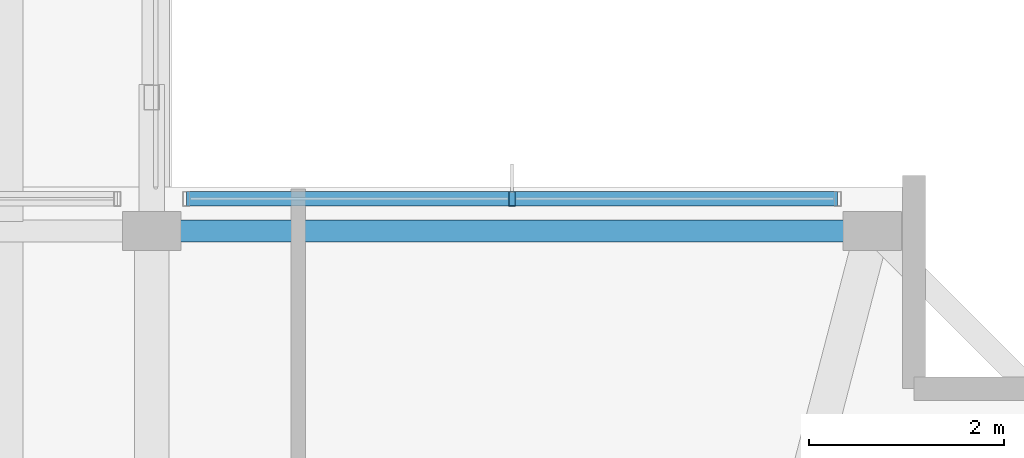
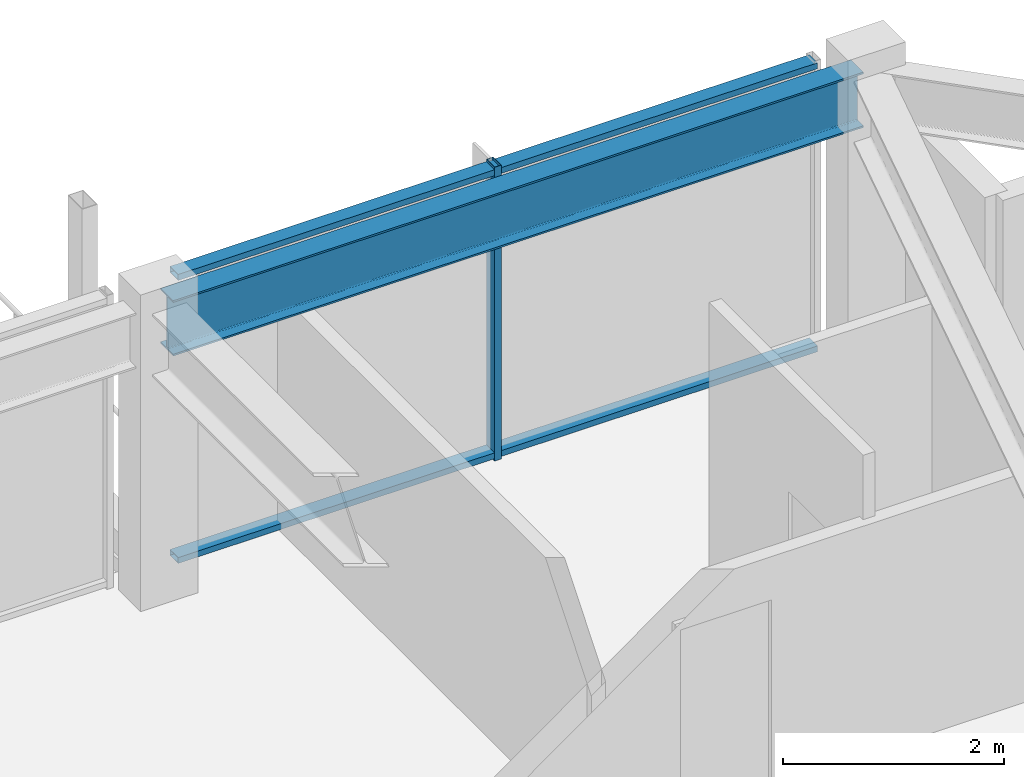
# One storey, part 17 of 31: 3 members, 1 beam, 1 element without a shape of its own.
"""IFC4 building model written with IfcOpenShell, lengths in metres."""

from ifc_helpers import new_model, si_unit, direction, frame, origin, origin_2d, place, context, subcontext, project, spatial, hollow_rectangle, i_section, extrude, material, material_profile, profile_set, type_object, element, aggregate, save


model = new_model("IFC4")

# Units and contexts
model_context = context("Model", 3, precision=1e-05, world=origin(), true_north=direction((0.0, 1.0)))
body_context = subcontext(model_context, "Body", "Model", "MODEL_VIEW")
ifc_project = project(units=[si_unit("LENGTHUNIT", "METRE"), si_unit("AREAUNIT", "SQUARE_METRE"), si_unit("VOLUMEUNIT", "CUBIC_METRE"), si_unit("PLANEANGLEUNIT", "RADIAN"), si_unit("MASSUNIT", "GRAM", prefix="KILO")], contexts=[model_context])

# Site, building, storey
site_placement = place(None, origin())
site = spatial("IfcSite", under=ifc_project, at=site_placement, CompositionType="ELEMENT")
building_placement = place(site_placement, origin())
building = spatial("IfcBuilding", under=site, at=building_placement, Name="Kolvaren Belvedere", CompositionType="ELEMENT")
storey_placement = place(building_placement, frame((0.0, 0.0, 251.39990234375)))
storey = spatial("IfcBuildingStorey", under=building, at=storey_placement, Name="L73", CompositionType="ELEMENT", Elevation=251.39990234375)

# Beam
ifc_material_1 = material(Name="Structural steel ASTM A992 Grade 50", Category="steel")
ifc_material_profile_1 = material_profile(ifc_material_1, i_section(OverallWidth=0.22900390625, OverallDepth=0.612060546875, WebThickness=0.011962890625, FlangeThickness=0.01953125, FilletRadius=0.01806640625, at=origin_2d()), Name="W24X84")
ifc_profile_set_1 = profile_set([ifc_material_profile_1], Name="Structural steel ASTM A992 Grade 50")
beam_type = type_object("IfcBeamType", Name="BM-SPAN-W24X84", PredefinedType="SPANDREL", material=ifc_profile_set_1)
beam_placement = place(storey_placement, frame((11.909912109375, 17.949951171875, 2.944091796875), z_axis=(-1.0, 0.0, 0.0), x_axis=(0.0, -1.0, 0.0)))
element("IfcBeam", 1, at=beam_placement, inside=storey, type_object=beam_type, Name="L73 Perimeter Spandrel N4-N3", PredefinedType="SPANDREL", context=body_context, shape_type="SweptSolid", body=[
    extrude(i_section(OverallWidth=0.22900390625, OverallDepth=0.612060546875, WebThickness=0.011962890625, FlangeThickness=0.01953125, FilletRadius=0.01806640625, at=origin_2d()), origin(), (0.0, 0.0, 1.0), 7.219970703125),
])

# Curtain wall, members
ifc_material_2 = material(Name="Anodised pale-metal aluminium AA 6063-T6", Category="aluminium")
curtain_wall_type = type_object("IfcCurtainWallType", Name="CW-Z5-HIGH", PredefinedType="NOTDEFINED", material=ifc_material_2)
curtain_wall_placement = place(storey_placement, origin())
curtain_wall = element("IfcCurtainWall", 2, at=curtain_wall_placement, inside=storey, type_object=curtain_wall_type, Name="L73 Unitised Curtain Wall FCW-L73-N2-B2", PredefinedType="NOTDEFINED")
ifc_material_3 = material(Name="Anodised pale-metal aluminium AA 6063-T6", Category="aluminium")
ifc_material_profile_2 = material_profile(ifc_material_3, hollow_rectangle(XDim=0.070068359375, YDim=0.14990234375, WallThickness=0.004150390625, at=origin_2d()), Name="ALU-MUL-150X70")
ifc_profile_set_2 = profile_set([ifc_material_profile_2], Name="Anodised pale-metal aluminium AA 6063-T6")
member_type_1 = type_object("IfcMemberType", Name="CW-MUL-150", PredefinedType="MULLION", material=ifc_profile_set_2)
member_1_placement = place(storey_placement, frame((8.300048828125, 18.280029296875, 0.0), z_axis=(0.0, 0.0, 1.0), x_axis=(1.0, 0.0, 0.0)))
member_1 = element("IfcMember", 3, at=member_1_placement, type_object=member_type_1, Name="FCW-L73-N2-B2 Unitised Mullion 2", PredefinedType="MULLION", context=body_context, shape_type="SweptSolid", body=[
    extrude(hollow_rectangle(XDim=0.070068359375, YDim=0.14990234375, WallThickness=0.004150390625, at=origin_2d()), origin(), (0.0, 0.0, 1.0), 3.25),
])
ifc_material_4 = material(Name="Anodised pale-metal aluminium AA 6063-T6", Category="aluminium")
ifc_material_profile_3 = material_profile(ifc_material_4, hollow_rectangle(XDim=0.06494140625, YDim=0.14990234375, WallThickness=0.00390625, at=origin_2d()), Name="ALU-TRN-150X65")
ifc_profile_set_3 = profile_set([ifc_material_profile_3], Name="Anodised pale-metal aluminium AA 6063-T6")
member_type_2 = type_object("IfcMemberType", Name="CW-TRN-150", PredefinedType="USERDEFINED", material=ifc_profile_set_3)
member_2_placement = place(storey_placement, frame((4.955078125, 18.280029296875, 0.06005859375), z_axis=(1.0, 0.0, 0.0), x_axis=(0.0, 0.0, 1.0)))
member_2 = element("IfcMember", 4, at=member_2_placement, type_object=member_type_2, Name="FCW-L73-N2-B2 Sill Transom", ObjectType="TRANSOM", PredefinedType="USERDEFINED", context=body_context, shape_type="SweptSolid", body=[
    extrude(hollow_rectangle(XDim=0.06494140625, YDim=0.14990234375, WallThickness=0.00390625, at=origin_2d()), origin(), (0.0, 0.0, 1.0), 6.68994140625),
])
member_3_placement = place(storey_placement, frame((4.955078125, 18.280029296875, 3.190185546875), z_axis=(1.0, 0.0, 0.0), x_axis=(0.0, 0.0, 1.0)))
member_3 = element("IfcMember", 5, at=member_3_placement, type_object=member_type_2, Name="FCW-L73-N2-B2 Head Transom", ObjectType="TRANSOM", PredefinedType="USERDEFINED", context=body_context, shape_type="SweptSolid", body=[
    extrude(hollow_rectangle(XDim=0.06494140625, YDim=0.14990234375, WallThickness=0.00390625, at=origin_2d()), origin(), (0.0, 0.0, 1.0), 6.68994140625),
])
aggregate(curtain_wall, [member_1, member_2, member_3])

save(model, "model.ifc")
